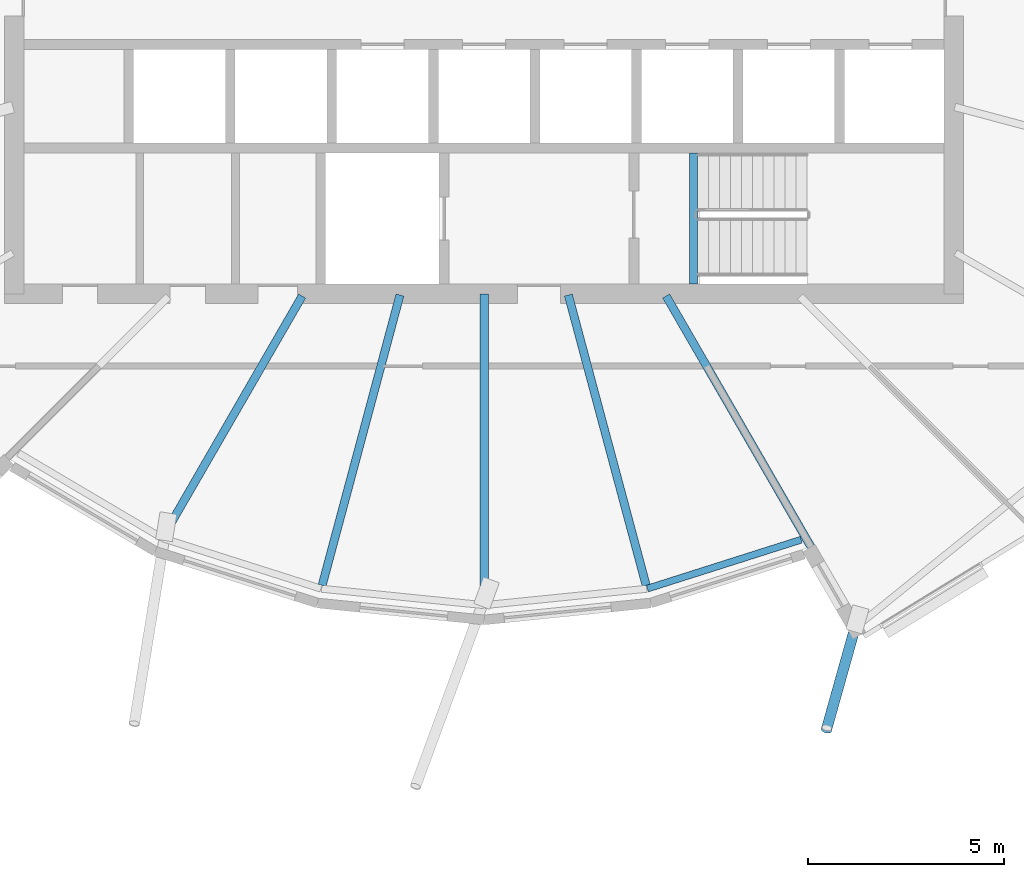
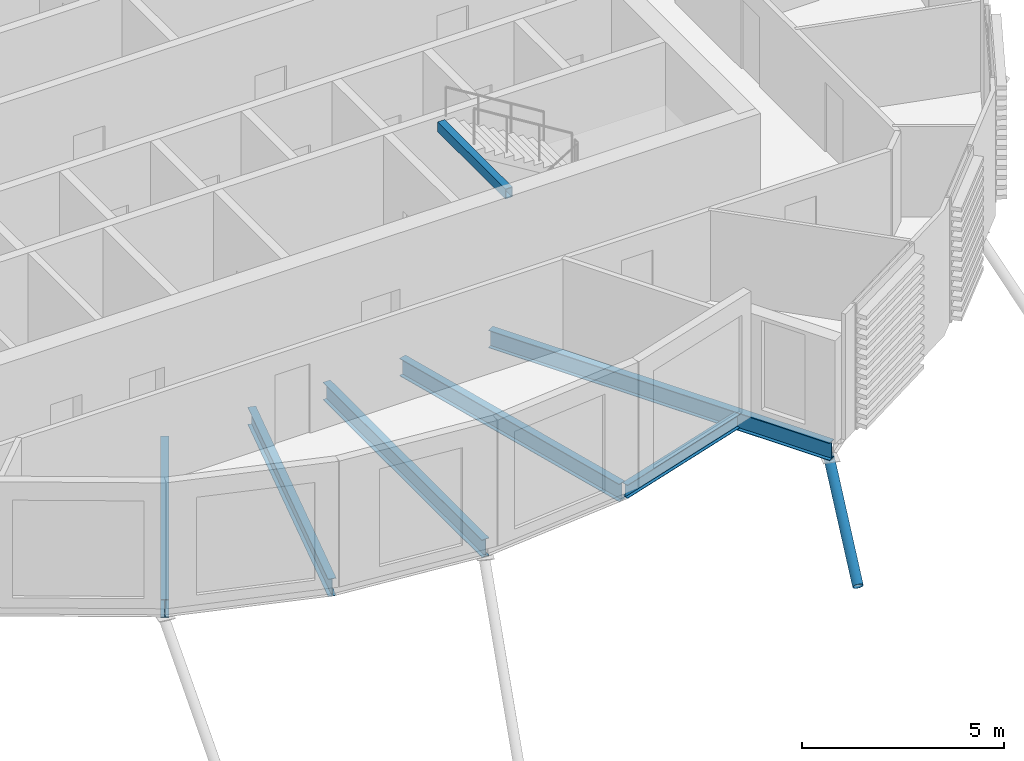
# One storey, part 4 of 41: 7 beams, 1 member.
"""IFC4 building model written with IfcOpenShell, lengths in metres."""

from ifc_helpers import new_model, si_unit, direction, frame, origin, origin_2d, place, context, subcontext, project, spatial, hollow_rectangle, hollow_circle, i_section, extrude, clip, halfspace, material, material_profile, profile_set, type_object, element, save


model = new_model("IFC4")

# Units and contexts
model_context = context("Model", 3, precision=1e-05, world=origin(), true_north=direction((0.0, 1.0)))
body_context = subcontext(model_context, "Body", "Model", "MODEL_VIEW")
ifc_project = project(units=[si_unit("LENGTHUNIT", "METRE"), si_unit("AREAUNIT", "SQUARE_METRE"), si_unit("VOLUMEUNIT", "CUBIC_METRE"), si_unit("PLANEANGLEUNIT", "RADIAN"), si_unit("MASSUNIT", "GRAM", prefix="KILO")], contexts=[model_context])

# Site, building, storey
site_placement = place(None, origin())
site = spatial("IfcSite", under=ifc_project, at=site_placement, CompositionType="ELEMENT")
building_placement = place(site_placement, origin())
building = spatial("IfcBuilding", under=site, at=building_placement, Name="Rimbun Link Towers", CompositionType="ELEMENT")
storey_placement = place(building_placement, frame((0.0, 0.0, 214.300048828125)))
storey = spatial("IfcBuildingStorey", under=building, at=storey_placement, Name="L52", CompositionType="ELEMENT", Elevation=214.300048828125)

# Member
ifc_material_1 = material(Name="Steel S355J2H", Category="steel")
ifc_material_profile_1 = material_profile(ifc_material_1, hollow_circle(Radius=0.136474609375, WallThickness=0.012451171875, at=origin_2d()), Name="CHS 273x12.5")
ifc_profile_set_1 = profile_set([ifc_material_profile_1], Name="Steel S355J2H")
member_type = type_object("IfcMemberType", Name="Floor edge link CHS 273x12.5", PredefinedType="BRACE", material=ifc_profile_set_1)
member_placement = place(storey_placement, frame((-22.2529296875, -16.44921875, -0.786865234375), z_axis=(-0.225012648098, -0.801848695828, -0.553541305772), x_axis=(0.962809534612, -0.270181050521, 0.0)))
element("IfcMember", 1, at=member_placement, inside=storey, type_object=member_type, Name="Floor edge link T1 L52 20", PredefinedType="BRACE", context=body_context, shape_type="Clipping", body=[
    clip(extrude(hollow_circle(Radius=0.136474609375, WallThickness=0.012451171875, at=origin_2d()), frame((0.0, 0.0, -0.4287109375)), (0.0, 0.0, 1.0), 3.782470703125), halfspace(frame((0.0, 0.0, -0.201904296875), z_axis=(0.0, 0.832821723303, -0.553541305772)), False)),
])

# Beams
ifc_material_2 = material(Name="Steel S355J2", Category="steel")
ifc_material_profile_2 = material_profile(ifc_material_2, hollow_rectangle(XDim=0.199951171875, YDim=0.300048828125, WallThickness=0.011962890625, at=origin_2d()), Name="BOX 300x200x12")
ifc_profile_set_2 = profile_set([ifc_material_profile_2], Name="Steel S355J2")
beam_type_1 = type_object("IfcBeamType", Name="Stair trimmer beam BOX 300x200x12", PredefinedType="BEAM", material=ifc_profile_set_2)
beam_1_placement = place(storey_placement, frame((-26.39990234375, -7.75, 3.510009765625), z_axis=(0.0, 1.0, 0.0), x_axis=(-1.0, 0.0, 0.0)))
element("IfcBeam", 2, at=beam_1_placement, inside=storey, type_object=beam_type_1, Name="L52 ST2 stair beam 1", PredefinedType="BEAM", context=body_context, shape_type="SweptSolid", body=[
    extrude(hollow_rectangle(XDim=0.199951171875, YDim=0.300048828125, WallThickness=0.011962890625, at=origin_2d()), origin(), (0.0, 0.0, 1.0), 3.35009765625),
])
ifc_material_3 = material(Name="Steel S355J2", Category="steel")
ifc_material_profile_3 = material_profile(ifc_material_3, i_section(OverallWidth=0.177978515625, OverallDepth=0.406494140625, WebThickness=0.0078125, FlangeThickness=0.0126953125, at=origin_2d()), Name="UB 406x178x60")
ifc_profile_set_3 = profile_set([ifc_material_profile_3], Name="Steel S355J2")
beam_type_2 = type_object("IfcBeamType", Name="UB 406x178x60", PredefinedType="BEAM", material=ifc_profile_set_3)
beam_2_placement = place(storey_placement, frame((-27.57861328125, -15.528564453125, -0.34326171875), z_axis=(0.952980207737, 0.30303254555, 0.0), x_axis=(-0.30303254555, 0.952980207737, 0.0)))
element("IfcBeam", 3, at=beam_2_placement, inside=storey, type_object=beam_type_2, Name="Edge beam T1 L52 19 recess", PredefinedType="BEAM", context=body_context, shape_type="SweptSolid", body=[
    extrude(i_section(OverallWidth=0.177978515625, OverallDepth=0.406494140625, WebThickness=0.0078125, FlangeThickness=0.0126953125, at=origin_2d()), origin(), (0.0, 0.0, 1.0), 4.12255859375),
])
ifc_material_4 = material(Name="Steel S355J2", Category="steel")
ifc_material_profile_4 = material_profile(ifc_material_4, i_section(OverallWidth=0.209228515625, OverallDepth=0.533203125, WebThickness=0.010009765625, FlangeThickness=0.015625, at=origin_2d()), Name="UB 533x210x92")
ifc_profile_set_4 = profile_set([ifc_material_profile_4], Name="Steel S355J2")
beam_type_3 = type_object("IfcBeamType", Name="UB 533x210x92", PredefinedType="BEAM", material=ifc_profile_set_4)
beam_3_placement = place(storey_placement, frame((-36.3994140625, -8.05322265625, -0.406494140625), z_axis=(-0.500014057686, -0.866017287424, 0.0), x_axis=(0.866017287424, -0.500014057686, 0.0)))
element("IfcBeam", 4, at=beam_3_placement, inside=storey, type_object=beam_type_3, Name="Radial beam T1 L52 16", PredefinedType="BEAM", context=body_context, shape_type="SweptSolid", body=[
    extrude(i_section(OverallWidth=0.209228515625, OverallDepth=0.533203125, WebThickness=0.010009765625, FlangeThickness=0.015625, at=origin_2d()), origin(), (0.0, 0.0, 1.0), 7.053955078125),
])
beam_4_placement = place(storey_placement, frame((-33.901123046875, -8.028076171875, -0.406494140625), z_axis=(-0.258826148296, -0.965923922966, 0.0), x_axis=(0.965923922966, -0.258826148296, 0.0)))
element("IfcBeam", 5, at=beam_4_placement, inside=storey, type_object=beam_type_3, Name="Radial beam T1 L52 17", PredefinedType="BEAM", context=body_context, shape_type="SweptSolid", body=[
    extrude(i_section(OverallWidth=0.209228515625, OverallDepth=0.533203125, WebThickness=0.010009765625, FlangeThickness=0.015625, at=origin_2d()), origin(), (0.0, 0.0, 1.0), 7.67822265625),
])
beam_5_placement = place(storey_placement, frame((-31.75, -8.0009765625, -0.406494140625), z_axis=(0.0, -1.0, 0.0), x_axis=(1.0, 0.0, 0.0)))
element("IfcBeam", 6, at=beam_5_placement, inside=storey, type_object=beam_type_3, Name="Radial beam T1 L52 18", PredefinedType="BEAM", context=body_context, shape_type="SweptSolid", body=[
    extrude(i_section(OverallWidth=0.209228515625, OverallDepth=0.533203125, WebThickness=0.010009765625, FlangeThickness=0.015625, at=origin_2d()), origin(), (0.0, 0.0, 1.0), 7.861572265625),
])
beam_6_placement = place(storey_placement, frame((-29.598876953125, -8.028076171875, -0.406494140625), z_axis=(0.258826148296, -0.965923922966, 0.0), x_axis=(0.965923922966, 0.258826148296, 0.0)))
element("IfcBeam", 7, at=beam_6_placement, inside=storey, type_object=beam_type_3, Name="Radial beam T1 L52 19", PredefinedType="BEAM", context=body_context, shape_type="SweptSolid", body=[
    extrude(i_section(OverallWidth=0.209228515625, OverallDepth=0.533203125, WebThickness=0.010009765625, FlangeThickness=0.015625, at=origin_2d()), origin(), (0.0, 0.0, 1.0), 7.67822265625),
])
beam_7_placement = place(storey_placement, frame((-27.1005859375, -8.05322265625, -0.406494140625), z_axis=(0.50000292919, -0.866023712609, 0.0), x_axis=(0.866023712609, 0.50000292919, 0.0)))
element("IfcBeam", 8, at=beam_7_placement, inside=storey, type_object=beam_type_3, Name="Radial beam T1 L52 20", PredefinedType="BEAM", context=body_context, shape_type="SweptSolid", body=[
    extrude(i_section(OverallWidth=0.209228515625, OverallDepth=0.533203125, WebThickness=0.010009765625, FlangeThickness=0.015625, at=origin_2d()), origin(), (0.0, 0.0, 1.0), 9.7451171875),
])

save(model, "model.ifc")
